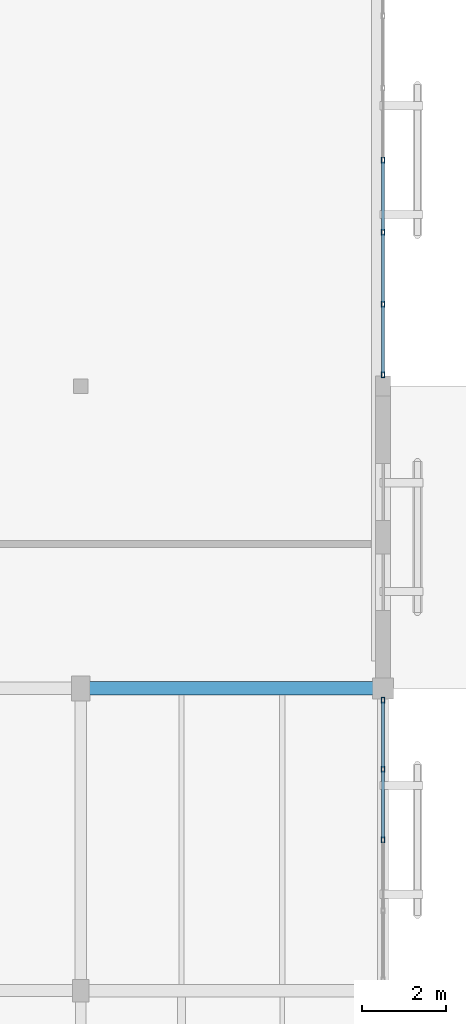
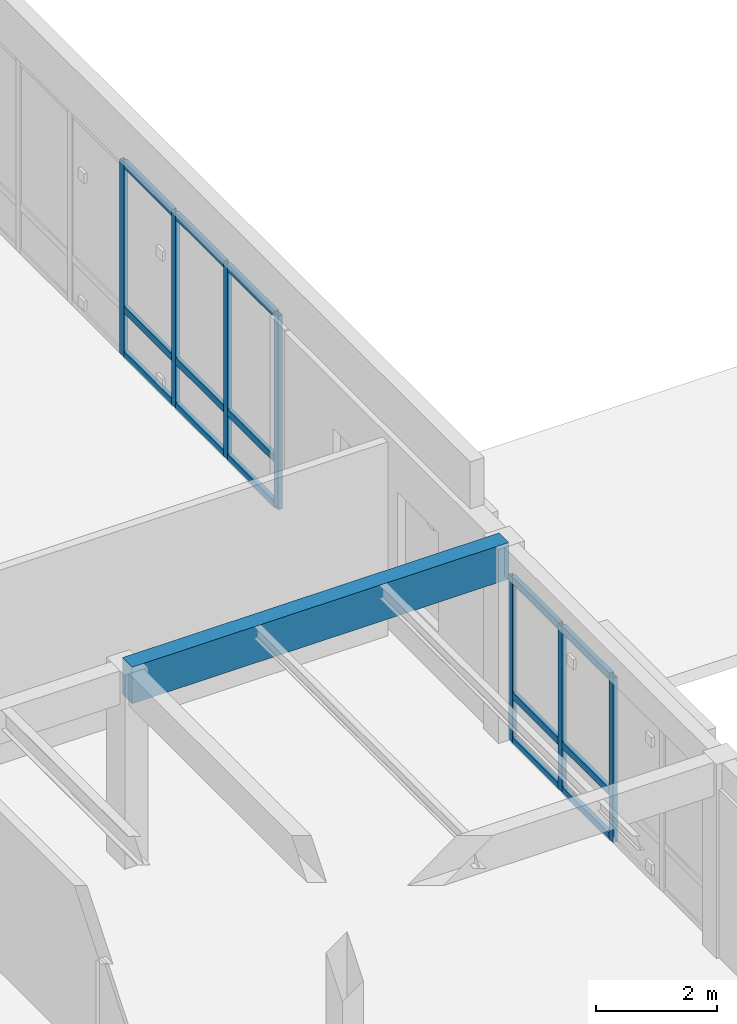
# One storey, part 48 of 112: 22 members, 1 beam, 2 elements without a shape of their own.
"""IFC4 building model written with IfcOpenShell, lengths in metres."""

from ifc_helpers import new_model, si_unit, direction, frame, origin, origin_2d, place, context, subcontext, project, spatial, rectangle, hollow_rectangle, extrude, material, layer, layer_set, material_profile, profile_set, type_object, element, aggregate, save


model = new_model("IFC4")

# Units and contexts
model_context = context("Model", 3, precision=1e-05, world=origin(), true_north=direction((0.0, 1.0)))
body_context = subcontext(model_context, "Body", "Model", "MODEL_VIEW")
ifc_project = project(units=[si_unit("LENGTHUNIT", "METRE"), si_unit("AREAUNIT", "SQUARE_METRE"), si_unit("VOLUMEUNIT", "CUBIC_METRE"), si_unit("PLANEANGLEUNIT", "RADIAN"), si_unit("MASSUNIT", "GRAM", prefix="KILO")], contexts=[model_context])

# Site, building, storey
site_placement = place(None, origin())
site = spatial("IfcSite", under=ifc_project, at=site_placement, CompositionType="ELEMENT")
building_placement = place(site_placement, origin())
building = spatial("IfcBuilding", under=site, at=building_placement, Name="Mazaris Harbour Polytechnic", CompositionType="ELEMENT")
storey_placement = place(building_placement, frame((0.0, 0.0, 13.800048828125)))
storey = spatial("IfcBuildingStorey", under=building, at=storey_placement, Name="L03", CompositionType="ELEMENT", Elevation=13.800048828125)

# Curtain wall, members
ifc_material_1 = material(Name="Anodised Bronze Aluminium and Low-E Glass", Category="aluminium")
ifc_layer = layer(ifc_material_1, 0.159912109375, Name="Anodised Bronze Aluminium and Low-E Glass")
ifc_layer_set = layer_set([ifc_layer], Name="Anodised Bronze Aluminium and Low-E Glass")
curtain_wall_type = type_object("IfcCurtainWallType", Name="Cloister Court Curtain Wall", PredefinedType="NOTDEFINED", material=ifc_layer_set)
curtain_wall_1_placement = place(storey_placement, origin())
curtain_wall_1 = element("IfcCurtainWall", 1, at=curtain_wall_1_placement, inside=storey, type_object=curtain_wall_type, Name="V4 L03 Curtain Wall 148", PredefinedType="NOTDEFINED")
ifc_material_2 = material(Name="Anodised Bronze Steel S355", Category="steel")
ifc_material_profile_1 = material_profile(ifc_material_2, hollow_rectangle(XDim=0.080078125, YDim=0.139892578125, WallThickness=0.00634765625, at=origin_2d()), Name="RHS 80x140x6.3")
ifc_profile_set_1 = profile_set([ifc_material_profile_1], Name="Anodised Bronze Steel S355")
member_type_1 = type_object("IfcMemberType", Name="Curtain Mullion RHS80x140", PredefinedType="MULLION", material=ifc_profile_set_1)
member_1_placement = place(storey_placement, frame((43.199951171875, 75.318115234375, 0.0), z_axis=(0.0, 0.0, 1.0), x_axis=(1.0, 0.0, 0.0)))
member_1 = element("IfcMember", 2, at=member_1_placement, type_object=member_type_1, Name="CW-02 mullion 1", PredefinedType="MULLION", context=body_context, shape_type="SweptSolid", body=[
    extrude(hollow_rectangle(XDim=0.080078125, YDim=0.139892578125, WallThickness=0.00634765625, at=origin_2d()), origin(), (0.0, 0.0, 1.0), 3.329833984375),
])
member_2_placement = place(storey_placement, frame((43.199951171875, 73.674072265625, 0.0), z_axis=(0.0, 0.0, 1.0), x_axis=(1.0, 0.0, 0.0)))
member_2 = element("IfcMember", 3, at=member_2_placement, type_object=member_type_1, Name="CW-02 mullion 2", PredefinedType="MULLION", context=body_context, shape_type="SweptSolid", body=[
    extrude(hollow_rectangle(XDim=0.080078125, YDim=0.139892578125, WallThickness=0.00634765625, at=origin_2d()), origin(), (0.0, 0.0, 1.0), 3.329833984375),
])
member_3_placement = place(storey_placement, frame((43.199951171875, 71.989990234375, 0.0), z_axis=(0.0, 0.0, 1.0), x_axis=(1.0, 0.0, 0.0)))
member_3 = element("IfcMember", 4, at=member_3_placement, type_object=member_type_1, Name="CW-02 mullion 3", PredefinedType="MULLION", context=body_context, shape_type="SweptSolid", body=[
    extrude(hollow_rectangle(XDim=0.080078125, YDim=0.139892578125, WallThickness=0.00634765625, at=origin_2d()), origin(), (0.0, 0.0, 1.0), 3.329833984375),
])

curtain_wall_2_placement = place(storey_placement, origin())
curtain_wall_2 = element("IfcCurtainWall", 5, at=curtain_wall_2_placement, inside=storey, type_object=curtain_wall_type, Name="V4 L03 Curtain Wall 149", PredefinedType="NOTDEFINED")
member_4_placement = place(storey_placement, frame((43.199951171875, 88.18505859375, 0.0), z_axis=(0.0, 0.0, 1.0), x_axis=(1.0, 0.0, 0.0)))
member_4 = element("IfcMember", 6, at=member_4_placement, type_object=member_type_1, Name="CW-02 mullion 4", PredefinedType="MULLION", context=body_context, shape_type="SweptSolid", body=[
    extrude(hollow_rectangle(XDim=0.080078125, YDim=0.139892578125, WallThickness=0.00634765625, at=origin_2d()), origin(), (0.0, 0.0, 1.0), 3.919921875),
])
member_5_placement = place(storey_placement, frame((43.199951171875, 86.46728515625, 0.0), z_axis=(0.0, 0.0, 1.0), x_axis=(1.0, 0.0, 0.0)))
member_5 = element("IfcMember", 7, at=member_5_placement, type_object=member_type_1, Name="CW-02 mullion 5", PredefinedType="MULLION", context=body_context, shape_type="SweptSolid", body=[
    extrude(hollow_rectangle(XDim=0.080078125, YDim=0.139892578125, WallThickness=0.00634765625, at=origin_2d()), origin(), (0.0, 0.0, 1.0), 3.919921875),
])
member_6_placement = place(storey_placement, frame((43.199951171875, 84.749755859375, 0.0), z_axis=(0.0, 0.0, 1.0), x_axis=(1.0, 0.0, 0.0)))
member_6 = element("IfcMember", 8, at=member_6_placement, type_object=member_type_1, Name="CW-02 mullion 6", PredefinedType="MULLION", context=body_context, shape_type="SweptSolid", body=[
    extrude(hollow_rectangle(XDim=0.080078125, YDim=0.139892578125, WallThickness=0.00634765625, at=origin_2d()), origin(), (0.0, 0.0, 1.0), 3.919921875),
])
member_7_placement = place(storey_placement, frame((43.199951171875, 83.072021484375, 0.0), z_axis=(0.0, 0.0, 1.0), x_axis=(1.0, 0.0, 0.0)))
member_7 = element("IfcMember", 9, at=member_7_placement, type_object=member_type_1, Name="CW-02 mullion 7", PredefinedType="MULLION", context=body_context, shape_type="SweptSolid", body=[
    extrude(hollow_rectangle(XDim=0.080078125, YDim=0.139892578125, WallThickness=0.00634765625, at=origin_2d()), origin(), (0.0, 0.0, 1.0), 3.919921875),
])

# Member
ifc_material_3 = material(Name="Anodised Bronze Steel S355", Category="steel")
ifc_material_profile_2 = material_profile(ifc_material_3, hollow_rectangle(XDim=0.080078125, YDim=0.139892578125, WallThickness=0.00634765625, at=origin_2d()), Name="RHS 80x140x6.3")
ifc_profile_set_2 = profile_set([ifc_material_profile_2], Name="Anodised Bronze Steel S355")
member_type_2 = type_object("IfcMemberType", Name="Curtain Transom RHS80x140", PredefinedType="USERDEFINED", material=ifc_profile_set_2)
member_8_placement = place(storey_placement, frame((43.199951171875, 75.278076171875, 0.0400390625), z_axis=(0.0, -1.0, 0.0), x_axis=(1.0, 0.0, 0.0)))
member_8 = element("IfcMember", 10, at=member_8_placement, type_object=member_type_2, Name="CW-02 transom 1.1", ObjectType="TRANSOM", PredefinedType="USERDEFINED", context=body_context, shape_type="SweptSolid", body=[
    extrude(hollow_rectangle(XDim=0.080078125, YDim=0.139892578125, WallThickness=0.00634765625, at=origin_2d()), origin(), (0.0, 0.0, 1.0), 1.56396484375),
])

member_9_placement = place(storey_placement, frame((43.199951171875, 75.278076171875, 0.949951171875), z_axis=(0.0, -1.0, 0.0), x_axis=(1.0, 0.0, 0.0)))
member_9 = element("IfcMember", 11, at=member_9_placement, type_object=member_type_2, Name="CW-02 transom 1.2", ObjectType="TRANSOM", PredefinedType="USERDEFINED", context=body_context, shape_type="SweptSolid", body=[
    extrude(hollow_rectangle(XDim=0.080078125, YDim=0.139892578125, WallThickness=0.00634765625, at=origin_2d()), origin(), (0.0, 0.0, 1.0), 1.56396484375),
])

member_10_placement = place(storey_placement, frame((43.199951171875, 75.278076171875, 3.2900390625), z_axis=(0.0, -1.0, 0.0), x_axis=(1.0, 0.0, 0.0)))
member_10 = element("IfcMember", 12, at=member_10_placement, type_object=member_type_2, Name="CW-02 transom 1.3", ObjectType="TRANSOM", PredefinedType="USERDEFINED", context=body_context, shape_type="SweptSolid", body=[
    extrude(hollow_rectangle(XDim=0.080078125, YDim=0.139892578125, WallThickness=0.00634765625, at=origin_2d()), origin(), (0.0, 0.0, 1.0), 1.56396484375),
])

member_11_placement = place(storey_placement, frame((43.199951171875, 73.634033203125, 0.0400390625), z_axis=(0.0, -1.0, 0.0), x_axis=(1.0, 0.0, 0.0)))
member_11 = element("IfcMember", 13, at=member_11_placement, type_object=member_type_2, Name="CW-02 transom 2.1", ObjectType="TRANSOM", PredefinedType="USERDEFINED", context=body_context, shape_type="SweptSolid", body=[
    extrude(hollow_rectangle(XDim=0.080078125, YDim=0.139892578125, WallThickness=0.00634765625, at=origin_2d()), origin(), (0.0, 0.0, 1.0), 1.60400390625),
])

member_12_placement = place(storey_placement, frame((43.199951171875, 73.634033203125, 0.949951171875), z_axis=(0.0, -1.0, 0.0), x_axis=(1.0, 0.0, 0.0)))
member_12 = element("IfcMember", 14, at=member_12_placement, type_object=member_type_2, Name="CW-02 transom 2.2", ObjectType="TRANSOM", PredefinedType="USERDEFINED", context=body_context, shape_type="SweptSolid", body=[
    extrude(hollow_rectangle(XDim=0.080078125, YDim=0.139892578125, WallThickness=0.00634765625, at=origin_2d()), origin(), (0.0, 0.0, 1.0), 1.60400390625),
])

member_13_placement = place(storey_placement, frame((43.199951171875, 73.634033203125, 3.2900390625), z_axis=(0.0, -1.0, 0.0), x_axis=(1.0, 0.0, 0.0)))
member_13 = element("IfcMember", 15, at=member_13_placement, type_object=member_type_2, Name="CW-02 transom 2.3", ObjectType="TRANSOM", PredefinedType="USERDEFINED", context=body_context, shape_type="SweptSolid", body=[
    extrude(hollow_rectangle(XDim=0.080078125, YDim=0.139892578125, WallThickness=0.00634765625, at=origin_2d()), origin(), (0.0, 0.0, 1.0), 1.60400390625),
])

aggregate(curtain_wall_1, [member_1, member_2, member_3, member_8, member_9, member_10, member_11, member_12, member_13])

member_14_placement = place(storey_placement, frame((43.199951171875, 88.14501953125, 0.0400390625), z_axis=(0.0, -1.0, 0.0), x_axis=(1.0, 0.0, 0.0)))
member_14 = element("IfcMember", 16, at=member_14_placement, type_object=member_type_2, Name="CW-02 transom 4.1", ObjectType="TRANSOM", PredefinedType="USERDEFINED", context=body_context, shape_type="SweptSolid", body=[
    extrude(hollow_rectangle(XDim=0.080078125, YDim=0.139892578125, WallThickness=0.00634765625, at=origin_2d()), origin(), (0.0, 0.0, 1.0), 1.6376953125),
])

member_15_placement = place(storey_placement, frame((43.199951171875, 88.14501953125, 0.949951171875), z_axis=(0.0, -1.0, 0.0), x_axis=(1.0, 0.0, 0.0)))
member_15 = element("IfcMember", 17, at=member_15_placement, type_object=member_type_2, Name="CW-02 transom 4.2", ObjectType="TRANSOM", PredefinedType="USERDEFINED", context=body_context, shape_type="SweptSolid", body=[
    extrude(hollow_rectangle(XDim=0.080078125, YDim=0.139892578125, WallThickness=0.00634765625, at=origin_2d()), origin(), (0.0, 0.0, 1.0), 1.6376953125),
])

member_16_placement = place(storey_placement, frame((43.199951171875, 88.14501953125, 3.8798828125), z_axis=(0.0, -1.0, 0.0), x_axis=(1.0, 0.0, 0.0)))
member_16 = element("IfcMember", 18, at=member_16_placement, type_object=member_type_2, Name="CW-02 transom 4.3", ObjectType="TRANSOM", PredefinedType="USERDEFINED", context=body_context, shape_type="SweptSolid", body=[
    extrude(hollow_rectangle(XDim=0.080078125, YDim=0.139892578125, WallThickness=0.00634765625, at=origin_2d()), origin(), (0.0, 0.0, 1.0), 1.6376953125),
])

member_17_placement = place(storey_placement, frame((43.199951171875, 86.42724609375, 0.0400390625), z_axis=(0.0, -1.0, 0.0), x_axis=(1.0, 0.0, 0.0)))
member_17 = element("IfcMember", 19, at=member_17_placement, type_object=member_type_2, Name="CW-02 transom 5.1", ObjectType="TRANSOM", PredefinedType="USERDEFINED", context=body_context, shape_type="SweptSolid", body=[
    extrude(hollow_rectangle(XDim=0.080078125, YDim=0.139892578125, WallThickness=0.00634765625, at=origin_2d()), origin(), (0.0, 0.0, 1.0), 1.6376953125),
])

member_18_placement = place(storey_placement, frame((43.199951171875, 86.42724609375, 0.949951171875), z_axis=(0.0, -1.0, 0.0), x_axis=(1.0, 0.0, 0.0)))
member_18 = element("IfcMember", 20, at=member_18_placement, type_object=member_type_2, Name="CW-02 transom 5.2", ObjectType="TRANSOM", PredefinedType="USERDEFINED", context=body_context, shape_type="SweptSolid", body=[
    extrude(hollow_rectangle(XDim=0.080078125, YDim=0.139892578125, WallThickness=0.00634765625, at=origin_2d()), origin(), (0.0, 0.0, 1.0), 1.6376953125),
])

member_19_placement = place(storey_placement, frame((43.199951171875, 86.42724609375, 3.8798828125), z_axis=(0.0, -1.0, 0.0), x_axis=(1.0, 0.0, 0.0)))
member_19 = element("IfcMember", 21, at=member_19_placement, type_object=member_type_2, Name="CW-02 transom 5.3", ObjectType="TRANSOM", PredefinedType="USERDEFINED", context=body_context, shape_type="SweptSolid", body=[
    extrude(hollow_rectangle(XDim=0.080078125, YDim=0.139892578125, WallThickness=0.00634765625, at=origin_2d()), origin(), (0.0, 0.0, 1.0), 1.6376953125),
])

member_20_placement = place(storey_placement, frame((43.199951171875, 84.709716796875, 0.0400390625), z_axis=(0.0, -1.0, 0.0), x_axis=(1.0, 0.0, 0.0)))
member_20 = element("IfcMember", 22, at=member_20_placement, type_object=member_type_2, Name="CW-02 transom 6.1", ObjectType="TRANSOM", PredefinedType="USERDEFINED", context=body_context, shape_type="SweptSolid", body=[
    extrude(hollow_rectangle(XDim=0.080078125, YDim=0.139892578125, WallThickness=0.00634765625, at=origin_2d()), origin(), (0.0, 0.0, 1.0), 1.59765625),
])

member_21_placement = place(storey_placement, frame((43.199951171875, 84.709716796875, 0.949951171875), z_axis=(0.0, -1.0, 0.0), x_axis=(1.0, 0.0, 0.0)))
member_21 = element("IfcMember", 23, at=member_21_placement, type_object=member_type_2, Name="CW-02 transom 6.2", ObjectType="TRANSOM", PredefinedType="USERDEFINED", context=body_context, shape_type="SweptSolid", body=[
    extrude(hollow_rectangle(XDim=0.080078125, YDim=0.139892578125, WallThickness=0.00634765625, at=origin_2d()), origin(), (0.0, 0.0, 1.0), 1.59765625),
])

member_22_placement = place(storey_placement, frame((43.199951171875, 84.709716796875, 3.8798828125), z_axis=(0.0, -1.0, 0.0), x_axis=(1.0, 0.0, 0.0)))
member_22 = element("IfcMember", 24, at=member_22_placement, type_object=member_type_2, Name="CW-02 transom 6.3", ObjectType="TRANSOM", PredefinedType="USERDEFINED", context=body_context, shape_type="SweptSolid", body=[
    extrude(hollow_rectangle(XDim=0.080078125, YDim=0.139892578125, WallThickness=0.00634765625, at=origin_2d()), origin(), (0.0, 0.0, 1.0), 1.59765625),
])

aggregate(curtain_wall_2, [member_4, member_5, member_6, member_7, member_14, member_15, member_16, member_17, member_18, member_19, member_20, member_21, member_22])

# Beam
ifc_material_4 = material(Name="Glulam GL32h", Category="wood")
ifc_material_profile_3 = material_profile(ifc_material_4, rectangle(XDim=0.320068359375, YDim=0.739990234375, at=origin_2d()), Name="RECT320x740")
ifc_profile_set_3 = profile_set([ifc_material_profile_3], Name="Glulam GL32h")
beam_type = type_object("IfcBeamType", Name="Glulam Girder 320x740 Exterior", PredefinedType="BEAM", material=ifc_profile_set_3)
beam_placement = place(storey_placement, frame((36.0, 75.60009765625, 3.550048828125), z_axis=(1.0, 0.0, 0.0), x_axis=(0.0, 1.0, 0.0)))
element("IfcBeam", 25, at=beam_placement, inside=storey, type_object=beam_type, Name="V4 L03 Girder 2219", PredefinedType="BEAM", context=body_context, shape_type="SweptSolid", body=[
    extrude(rectangle(XDim=0.320068359375, YDim=0.739990234375, at=origin_2d()), origin(), (0.0, 0.0, 1.0), 7.199951171875),
])

save(model, "model.ifc")
